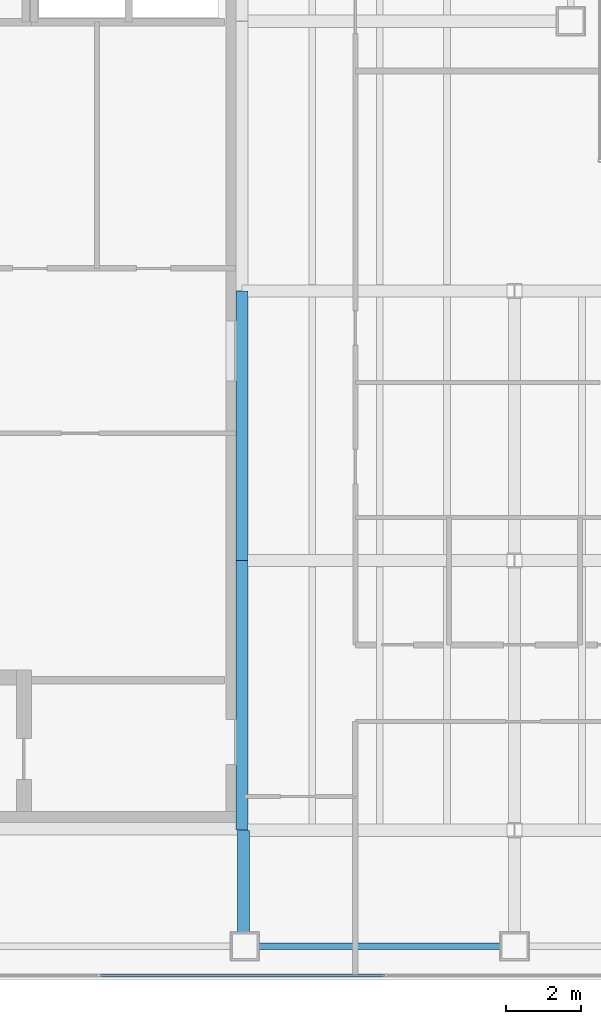
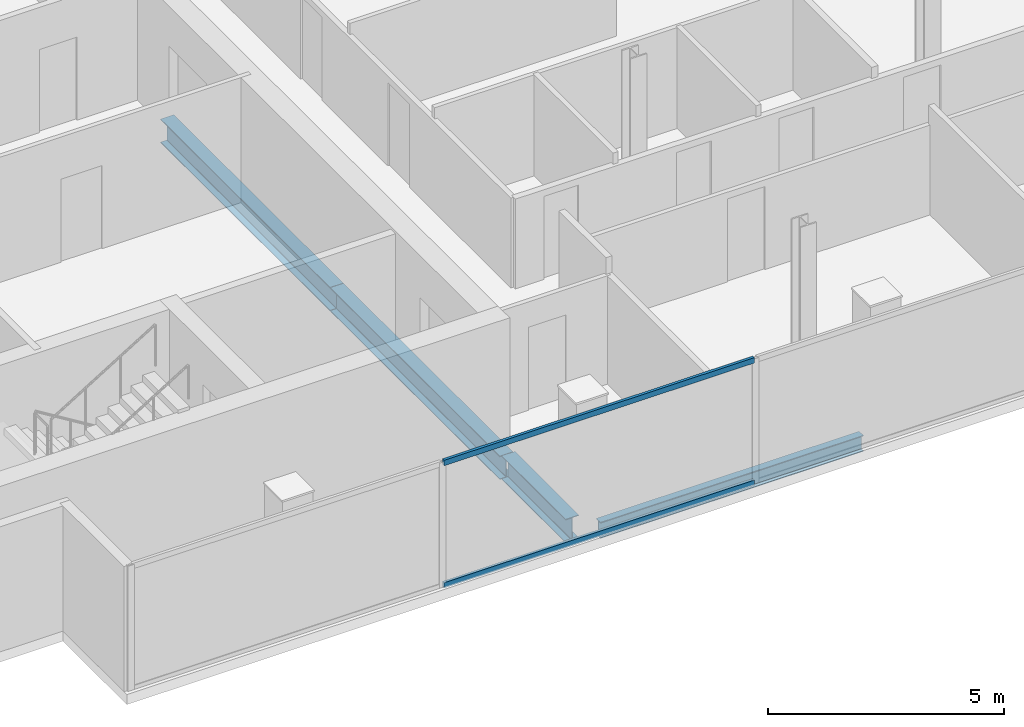
# One storey, part 3 of 23: 4 beams, 2 members, 1 element without a shape of its own.
"""IFC4 building model written with IfcOpenShell, lengths in metres."""

from ifc_helpers import new_model, si_unit, direction, frame, origin, origin_2d, place, context, subcontext, project, spatial, hollow_rectangle, i_section, extrude, material, material_profile, profile_set, type_object, element, aggregate, save


model = new_model("IFC4")

# Units and contexts
model_context = context("Model", 3, precision=1e-05, world=origin(), true_north=direction((0.0, 1.0)))
body_context = subcontext(model_context, "Body", "Model", "MODEL_VIEW")
ifc_project = project(units=[si_unit("LENGTHUNIT", "METRE"), si_unit("AREAUNIT", "SQUARE_METRE"), si_unit("VOLUMEUNIT", "CUBIC_METRE"), si_unit("PLANEANGLEUNIT", "RADIAN"), si_unit("MASSUNIT", "GRAM", prefix="KILO")], contexts=[model_context])

# Site, building, storey
site_placement = place(None, origin())
site = spatial("IfcSite", under=ifc_project, at=site_placement, CompositionType="ELEMENT")
building_placement = place(site_placement, origin())
building = spatial("IfcBuilding", under=site, at=building_placement, Name="Cobrela Telecom Tower", CompositionType="ELEMENT")
storey_placement = place(building_placement, frame((0.0, 0.0, 229.25)))
storey = spatial("IfcBuildingStorey", under=building, at=storey_placement, Name="L59", CompositionType="ELEMENT", Elevation=229.25)

# Beams
ifc_material_1 = material(Name="Steel ASTM A992 Grade 50", Category="steel")
ifc_material_profile_1 = material_profile(ifc_material_1, i_section(OverallWidth=0.324951171875, OverallDepth=0.612060546875, WebThickness=0.0126953125, FlangeThickness=0.01904296875, FilletRadius=0.014892578125, at=origin_2d()), Name="W24X104")
ifc_profile_set_1 = profile_set([ifc_material_profile_1], Name="Steel ASTM A992 Grade 50")
beam_type_1 = type_object("IfcBeamType", Name="BM-GIRD-07", PredefinedType="USERDEFINED", material=ifc_profile_set_1)
beam_1_placement = place(storey_placement, frame((14.360107421875, 4.47998046875, -0.56591796875), z_axis=(0.0, 1.0, 0.0), x_axis=(-1.0, 0.0, 0.0)))
element("IfcBeam", 1, at=beam_1_placement, inside=storey, type_object=beam_type_1, Name="L59 Primary Girder Y26", ObjectType="GIRDER", PredefinedType="USERDEFINED", context=body_context, shape_type="SweptSolid", body=[
    extrude(i_section(OverallWidth=0.324951171875, OverallDepth=0.612060546875, WebThickness=0.0126953125, FlangeThickness=0.01904296875, FilletRadius=0.014892578125, at=origin_2d()), origin(), (0.0, 0.0, 1.0), 2.715087890625),
])
for number, where, z_axis, x_axis, name in (
    (2, (14.320068359375, 7.205078125, -0.56591796875), (0.0, 1.0, 0.0), (-1.0, 0.0, 0.0), "L59 Primary Girder Y27"),
    (3, (14.320068359375, 14.405029296875, -0.56591796875), (0.0, 1.0, 0.0), (-1.0, 0.0, 0.0), "L59 Primary Girder Y28"),
):
    element("IfcBeam", number, at=place(storey_placement, frame(where, z_axis=z_axis, x_axis=x_axis)), inside=storey, type_object=beam_type_1, Name=name, ObjectType="GIRDER", PredefinedType="USERDEFINED", context=body_context, shape_type="SweptSolid", body=[
        extrude(i_section(OverallWidth=0.324951171875, OverallDepth=0.612060546875, WebThickness=0.0126953125, FlangeThickness=0.01904296875, FilletRadius=0.014892578125, at=origin_2d()), origin(), (0.0, 0.0, 1.0), 7.18994140625),
    ])
ifc_material_profile_2 = material_profile(ifc_material_1, i_section(OverallWidth=0.179931640625, OverallDepth=0.4169921875, WebThickness=0.010986328125, FlangeThickness=0.01806640625, FilletRadius=0.011962890625, at=origin_2d()), Name="W16X57")
ifc_profile_set_2 = profile_set([ifc_material_profile_2], Name="Steel ASTM A992 Grade 50")
beam_type_2 = type_object("IfcBeamType", Name="BM-SPAND-06", PredefinedType="SPANDREL", material=ifc_profile_set_2)
beam_2_placement = place(storey_placement, frame((14.780029296875, 4.10009765625, -0.468505859375), z_axis=(1.0, 0.0, 0.0), x_axis=(0.0, 1.0, 0.0)))
element("IfcBeam", 4, at=beam_2_placement, inside=storey, type_object=beam_type_2, Name="L59 Perimeter Spandrel X02", PredefinedType="SPANDREL", context=body_context, shape_type="SweptSolid", body=[
    extrude(i_section(OverallWidth=0.179931640625, OverallDepth=0.4169921875, WebThickness=0.010986328125, FlangeThickness=0.01806640625, FilletRadius=0.011962890625, at=origin_2d()), origin(), (0.0, 0.0, 1.0), 6.43994140625),
])

# Curtain wall, members
ifc_material_2 = material(Name="Anodized Bronze Aluminium 6063-T6", Category="aluminium")
curtain_wall_type = type_object("IfcCurtainWallType", Name="CW-SYS-OFF-LO", PredefinedType="USERDEFINED", material=ifc_material_2)
curtain_wall_placement = place(storey_placement, origin())
curtain_wall = element("IfcCurtainWall", 5, at=curtain_wall_placement, inside=storey, type_object=curtain_wall_type, Name="L59 Unitised Bronze Curtain Wall 17", ObjectType="UNITISED CURTAIN WALL", PredefinedType="USERDEFINED")
ifc_material_profile_3 = material_profile(ifc_material_2, hollow_rectangle(XDim=0.070068359375, YDim=0.139892578125, WallThickness=0.00390625, at=origin_2d()), Name="ALU 70x140x4")
ifc_profile_set_3 = profile_set([ifc_material_profile_3], Name="Anodized Bronze Aluminium 6063-T6")
member_type = type_object("IfcMemberType", Name="CW-SYS-OFF-LO-TRN", PredefinedType="USERDEFINED", material=ifc_profile_set_3)
member_1_placement = place(storey_placement, frame((18.131103515625, 3.320068359375, 0.034912109375), z_axis=(-1.0, 0.0, 0.0), x_axis=(0.0, -1.0, 0.0)))
member_1 = element("IfcMember", 6, at=member_1_placement, type_object=member_type, Name="CW-OFF-LO transom 4.1", ObjectType="TRANSOM", PredefinedType="USERDEFINED", context=body_context, shape_type="SweptSolid", body=[
    extrude(hollow_rectangle(XDim=0.070068359375, YDim=0.139892578125, WallThickness=0.00390625, at=origin_2d()), origin(), (0.0, 0.0, 1.0), 7.59814453125),
])
member_2_placement = place(storey_placement, frame((18.131103515625, 3.320068359375, 3.205078125), z_axis=(-1.0, 0.0, 0.0), x_axis=(0.0, -1.0, 0.0)))
member_2 = element("IfcMember", 7, at=member_2_placement, type_object=member_type, Name="CW-OFF-LO transom 4.2", ObjectType="TRANSOM", PredefinedType="USERDEFINED", context=body_context, shape_type="SweptSolid", body=[
    extrude(hollow_rectangle(XDim=0.070068359375, YDim=0.139892578125, WallThickness=0.00390625, at=origin_2d()), origin(), (0.0, 0.0, 1.0), 7.59814453125),
])
aggregate(curtain_wall, [member_1, member_2])

save(model, "model.ifc")
